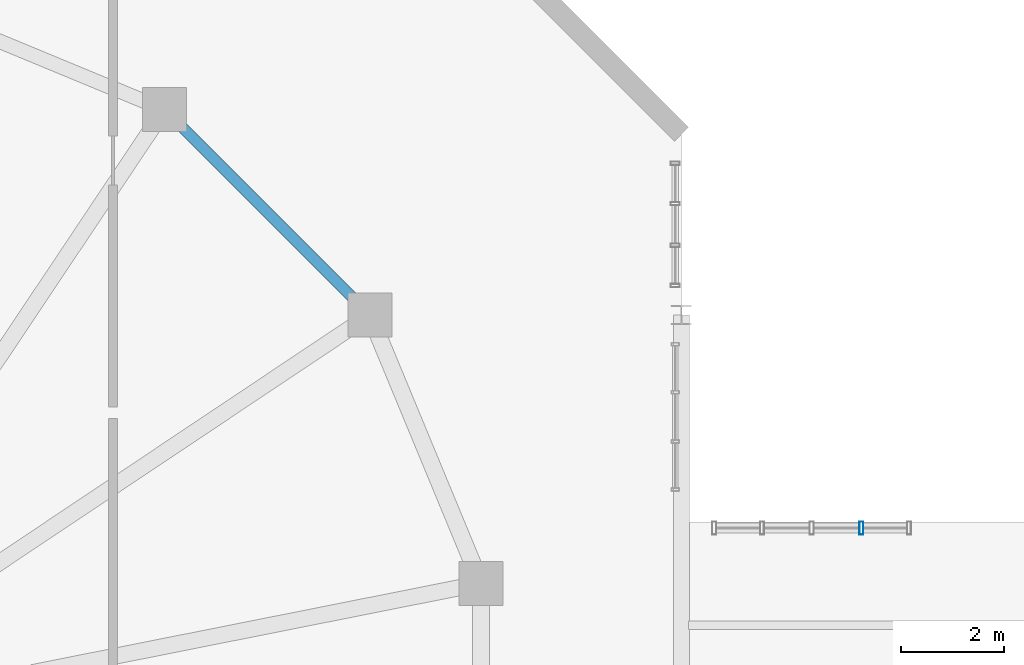
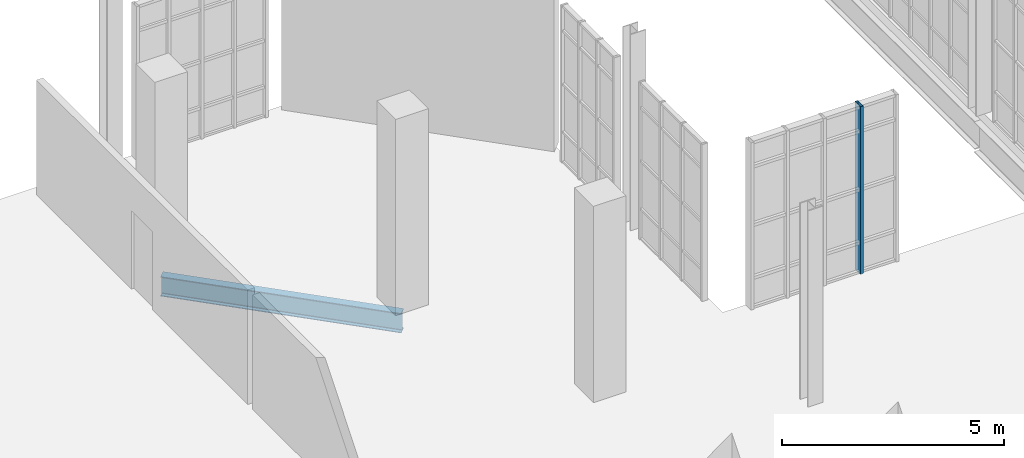
# One storey, part 86 of 189: 1 beam, 1 member, 1 element without a shape of its own.
"""IFC4 building model written with IfcOpenShell, lengths in metres."""

from ifc_helpers import new_model, si_unit, direction, frame, origin, origin_2d, place, context, subcontext, project, spatial, hollow_rectangle, i_section, extrude, material, layer, layer_set, material_profile, profile_set, type_object, element, aggregate, save


model = new_model("IFC4")

# Units and contexts
model_context = context("Model", 3, precision=1e-05, world=origin(), true_north=direction((0.0, 1.0)))
body_context = subcontext(model_context, "Body", "Model", "MODEL_VIEW")
ifc_project = project(units=[si_unit("LENGTHUNIT", "METRE"), si_unit("AREAUNIT", "SQUARE_METRE"), si_unit("VOLUMEUNIT", "CUBIC_METRE"), si_unit("PLANEANGLEUNIT", "RADIAN"), si_unit("MASSUNIT", "GRAM", prefix="KILO"), si_unit("THERMODYNAMICTEMPERATUREUNIT", "KELVIN"), si_unit("POWERUNIT", "WATT")], contexts=[model_context])

# Site, building, storey
site_placement = place(None, origin())
site = spatial("IfcSite", under=ifc_project, at=site_placement, CompositionType="ELEMENT")
building_placement = place(site_placement, origin())
building = spatial("IfcBuilding", under=site, at=building_placement, Name="Zelmaris Science Centre", CompositionType="ELEMENT")
storey_placement = place(building_placement, origin())
storey = spatial("IfcBuildingStorey", under=building, at=storey_placement, Name="L00", CompositionType="ELEMENT", Elevation=0.0)

# Curtain wall, member
ifc_material_1 = material(Name="Anodised architectural aluminium 6063-T6", Category="aluminium")
ifc_layer = layer(ifc_material_1, 0.18994140625, Name="Anodised architectural aluminium 6063-T6")
ifc_layer_set = layer_set([ifc_layer], Name="Anodised architectural aluminium 6063-T6")
curtain_wall_type = type_object("IfcCurtainWallType", Name="Curtain Wall CW-01", PredefinedType="USERDEFINED", material=ifc_layer_set)
curtain_wall_placement = place(storey_placement, origin())
curtain_wall = element("IfcCurtainWall", 1, at=curtain_wall_placement, inside=storey, type_object=curtain_wall_type, Name="L00 Unitised curtain wall 25", ObjectType="GLAZED CURTAIN WALL", PredefinedType="USERDEFINED")
ifc_material_profile_1 = material_profile(ifc_material_1, hollow_rectangle(XDim=0.080078125, YDim=0.25, WallThickness=0.0048828125, at=origin_2d()), Name="ALU-MUL-80X250")
ifc_profile_set_1 = profile_set([ifc_material_profile_1], Name="Anodised architectural aluminium 6063-T6")
member_type = type_object("IfcMemberType", Name="ALU-MUL-80X250", PredefinedType="MULLION", material=ifc_profile_set_1)
member_placement = place(storey_placement, frame((48.47998046875, 75.8798828125, -0.014892578125), z_axis=(0.0, 0.0, 1.0), x_axis=(1.0, 0.0, 0.0)))
member = element("IfcMember", 2, at=member_placement, type_object=member_type, Name="CW-01 mullion 4", PredefinedType="MULLION", context=body_context, shape_type="SweptSolid", body=[
    extrude(hollow_rectangle(XDim=0.080078125, YDim=0.25, WallThickness=0.0048828125, at=origin_2d()), origin(), (0.0, 0.0, 1.0), 4.614990234375),
])
aggregate(curtain_wall, [member])

# Beam
ifc_material_2 = material(Name="Steel ASTM A992 Grade 50", Category="steel")
ifc_material_profile_2 = material_profile(ifc_material_2, i_section(OverallWidth=0.2109375, OverallDepth=0.5380859375, WebThickness=0.01171875, FlangeThickness=0.018798828125, FilletRadius=0.013916015625, at=origin_2d()), Name="W21X73")
ifc_profile_set_2 = profile_set([ifc_material_profile_2], Name="Steel ASTM A992 Grade 50")
beam_type = type_object("IfcBeamType", Name="Beam SP-02 W21X73", PredefinedType="SPANDREL", material=ifc_profile_set_2)
beam_placement = place(storey_placement, frame((38.97314453125, 80.000244140625, -0.549072265625), z_axis=(-0.707106781187, 0.707106781187, 0.0), x_axis=(-0.707106781187, -0.707106781187, 0.0)))
element("IfcBeam", 3, at=beam_placement, inside=storey, type_object=beam_type, Name="L00 Planetarium drum ring beam 2", PredefinedType="SPANDREL", context=body_context, shape_type="SweptSolid", body=[
    extrude(i_section(OverallWidth=0.2109375, OverallDepth=0.5380859375, WebThickness=0.01171875, FlangeThickness=0.018798828125, FilletRadius=0.013916015625, at=origin_2d()), origin(), (0.0, 0.0, 1.0), 5.618408203125),
])

save(model, "model.ifc")
